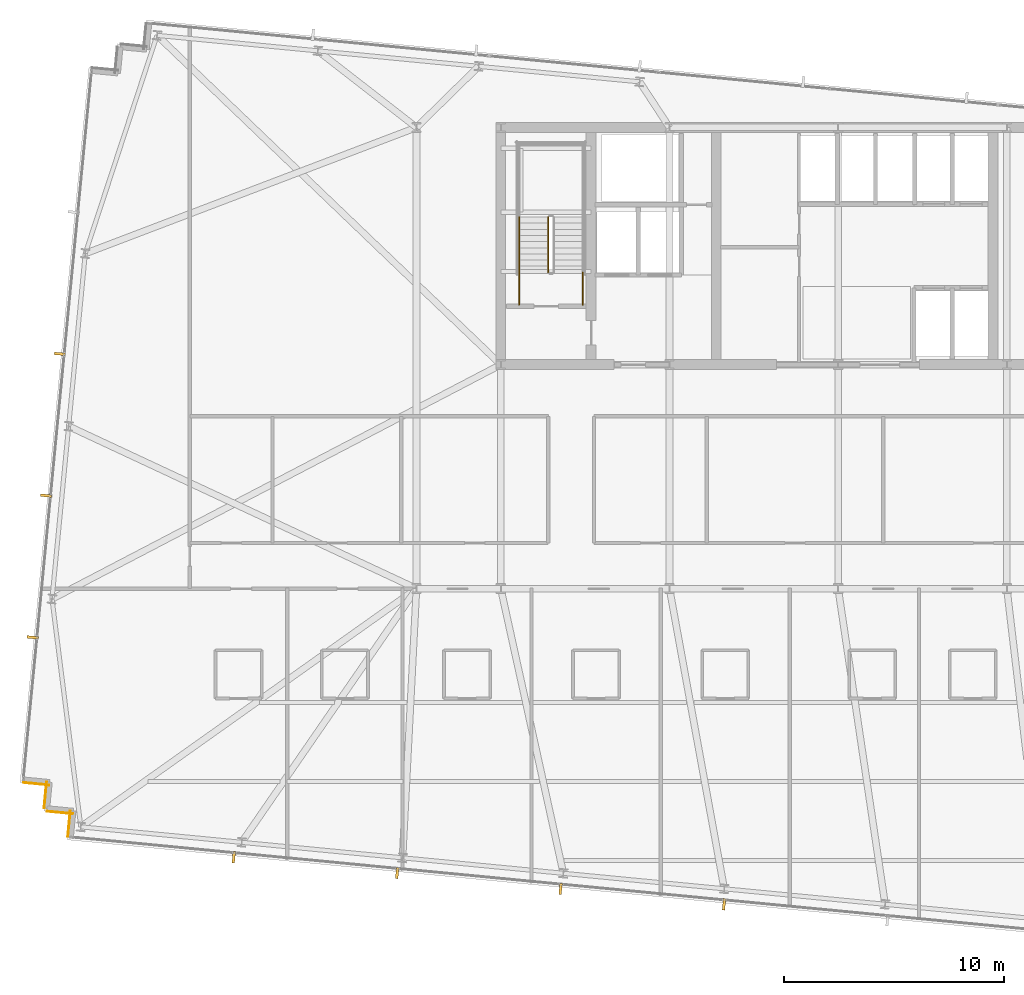
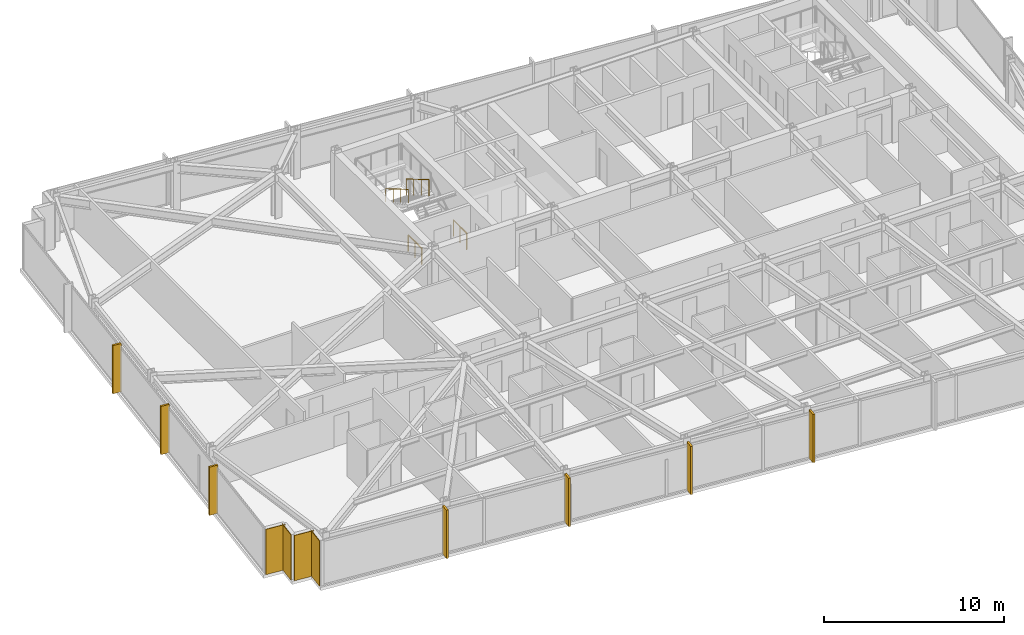
# One storey, part 33 of 38: 7 shading devices, 4 coverings, 4 railings.
"""IFC4 building model written with IfcOpenShell, lengths in metres."""

from ifc_helpers import new_model, si_unit, direction, frame, frame_2d, origin, origin_2d, place, context, subcontext, project, spatial, rectangle, circle, extrude, material, layer, layer_set, type_object, element, save


model = new_model("IFC4")

# Units and contexts
model_context = context("Model", 3, precision=1e-05, world=origin(), true_north=direction((0.0, 1.0)))
body_context = subcontext(model_context, "Body", "Model", "MODEL_VIEW")
ifc_project = project(units=[si_unit("LENGTHUNIT", "METRE"), si_unit("AREAUNIT", "SQUARE_METRE"), si_unit("VOLUMEUNIT", "CUBIC_METRE"), si_unit("PLANEANGLEUNIT", "RADIAN"), si_unit("MASSUNIT", "GRAM", prefix="KILO")], contexts=[model_context])

# Site, building, storey
site_placement = place(None, origin())
site = spatial("IfcSite", under=ifc_project, at=site_placement, CompositionType="ELEMENT")
building_placement = place(site_placement, origin())
building = spatial("IfcBuilding", under=site, at=building_placement, Name="Yelkora Congress Tower", CompositionType="ELEMENT")
storey_placement = place(building_placement, frame((0.0, 0.0, 155.60009765625)))
storey = spatial("IfcBuildingStorey", under=building, at=storey_placement, Name="L42", CompositionType="ELEMENT", Elevation=155.60009765625)

# Coverings
ifc_material_1 = material(Name="Anatolian bush-hammered limestone", Category="masonry")
ifc_layer_1 = layer(ifc_material_1, 0.0400390625)
ifc_layer_set_1 = layer_set([ifc_layer_1], Name="Anatolian bush-hammered limestone")
covering_type = type_object("IfcCoveringType", Name="COV-CLAD-SPANDREL-40", PredefinedType="CLADDING", material=ifc_layer_set_1)
covering_1_placement = place(storey_placement, frame((3.327880859375, 13.90185546875, 0.0), z_axis=(0.0, 0.0, 1.0), x_axis=(0.095817067274, 0.995398960025, 0.0)))
element("IfcCovering", 1, at=covering_1_placement, inside=storey, type_object=covering_type, Name="L42 Anatolian Limestone Cladding EW-L42-SR01", PredefinedType="CLADDING", context=body_context, shape_type="SweptSolid", body=[
    extrude(rectangle(XDim=1.2001953125, YDim=0.0400390625, at=frame_2d((0.60009765625, 0.0))), origin(), (0.0, 0.0, 1.0), 3.079833984375),
])
covering_2_placement = place(storey_placement, frame((3.564208984375, 14.94921875, 0.0), z_axis=(0.0, 0.0, 1.0), x_axis=(-0.995397091755, 0.095836473879, 0.0)))
element("IfcCovering", 2, at=covering_2_placement, inside=storey, type_object=covering_type, Name="L42 Anatolian Limestone Cladding EW-L42-SR02", PredefinedType="CLADDING", context=body_context, shape_type="SweptSolid", body=[
    extrude(rectangle(XDim=1.199951171875, YDim=0.0400390625, at=frame_2d((0.60009765625, 0.0))), origin(), (0.0, 0.0, 1.0), 3.079833984375),
])
for number, where, z_axis, x_axis, name in (
    (3, (2.248291015625, 15.21142578125, 0.0), (0.0, 0.0, 1.0), (0.095817067274, 0.995398960025, 0.0), "L42 Anatolian Limestone Cladding EW-L42-SR03"),
    (4, (2.48486328125, 16.258544921875, 0.0), (0.0, 0.0, 1.0), (-0.995398960025, 0.095817067274, 0.0), "L42 Anatolian Limestone Cladding EW-L42-SR04"),
):
    element("IfcCovering", number, at=place(storey_placement, frame(where, z_axis=z_axis, x_axis=x_axis)), inside=storey, type_object=covering_type, Name=name, PredefinedType="CLADDING", context=body_context, shape_type="SweptSolid", body=[
        extrude(rectangle(XDim=1.2001953125, YDim=0.0400390625, at=frame_2d((0.60009765625, 0.0))), origin(), (0.0, 0.0, 1.0), 3.079833984375),
    ])

# Railings
ifc_material_2 = material(Name="Painted galvanised steel stair well guard with vertical infill", Category="steel")
ifc_layer_2 = layer(ifc_material_2, 0.06005859375)
ifc_layer_set_2 = layer_set([ifc_layer_2], Name="Painted galvanised steel stair well guard with vertical infill")
railing_type_1 = type_object("IfcRailingType", Name="RAIL-STAIR-GUARD-1120", PredefinedType="GUARDRAIL", material=ifc_layer_set_2)
railing_1_placement = place(storey_placement, frame((25.18994140625, 42.1201171875, 1.81494140625)))
element("IfcRailing", 5, at=railing_1_placement, inside=storey, type_object=railing_type_1, Name="ST-01 L42 Stair Well Guardrail 6", PredefinedType="GUARDRAIL", context=body_context, shape_type="SweptSolid", body=[
    extrude(circle(Radius=0.02392578125, at=origin_2d()), frame((0.0, 0.0, 1.09619140625), z_axis=(0.0, -0.861560626758, 0.507654692109), x_axis=(1.0, 0.0, 0.0)), (0.0, 0.0, 1.0), 2.925048828125),
    extrude(circle(Radius=0.02099609375, at=origin_2d()), origin(), (0.0, 0.0, 1.0), 1.072021484375),
    extrude(circle(Radius=0.02099609375, at=origin_2d()), frame((0.0, -0.840087890625, 0.494873046875)), (0.0, 0.0, 1.0), 1.072021484375),
    extrude(circle(Radius=0.02099609375, at=origin_2d()), frame((0.0, -1.679931640625, 0.989990234375)), (0.0, 0.0, 1.0), 1.072021484375),
    extrude(circle(Radius=0.02099609375, at=origin_2d()), frame((0.0, -2.52001953125, 1.48486328125)), (0.0, 0.0, 1.0), 1.072021484375),
])
for number, where, name in (
    (6, (26.77001953125, 38.1201171875, 0.0), "ST-01 L42 Stair Well Guardrail 8"),
    (7, (23.8701171875, 38.1201171875, 0.0), "ST-01 L42 Stair Well Guardrail 9"),
):
    element("IfcRailing", number, at=place(storey_placement, frame(where)), inside=storey, type_object=railing_type_1, Name=name, PredefinedType="GUARDRAIL", context=body_context, shape_type="SweptSolid", body=[
        extrude(circle(Radius=0.02392578125, at=origin_2d()), frame((0.0, 0.0, 1.09619140625), z_axis=(0.0, 1.0, 0.0), x_axis=(-1.0, 0.0, 0.0)), (0.0, 0.0, 1.0), 1.47998046875),
        extrude(circle(Radius=0.02099609375, at=origin_2d()), origin(), (0.0, 0.0, 1.0), 1.072021484375),
        extrude(circle(Radius=0.02099609375, at=origin_2d()), frame((0.0, 0.739990234375, 0.0)), (0.0, 0.0, 1.0), 1.072021484375),
        extrude(circle(Radius=0.02099609375, at=origin_2d()), frame((0.0, 1.47998046875, 0.0)), (0.0, 0.0, 1.0), 1.072021484375),
    ])
ifc_material_3 = material(Name="Brushed stainless steel tubular handrail", Category="steel")
ifc_layer_3 = layer(ifc_material_3, 0.050048828125)
ifc_layer_set_3 = layer_set([ifc_layer_3], Name="Brushed stainless steel tubular handrail")
railing_type_2 = type_object("IfcRailingType", Name="RAIL-STAIR-HAND-920", PredefinedType="HANDRAIL", material=ifc_layer_set_3)
railing_2_placement = place(storey_placement, frame((23.8701171875, 42.1201171875, 1.81494140625)))
element("IfcRailing", 8, at=railing_2_placement, inside=storey, type_object=railing_type_2, Name="ST-01 L42 Pitch Handrail 2", PredefinedType="HANDRAIL", context=body_context, shape_type="SweptSolid", body=[
    extrude(circle(Radius=0.02392578125, at=origin_2d()), frame((0.0, 0.0, 0.89599609375), z_axis=(0.0, -0.861560626758, 0.507654692109), x_axis=(1.0, 0.0, 0.0)), (0.0, 0.0, 1.0), 2.925048828125),
    extrude(circle(Radius=0.02099609375, at=origin_2d()), origin(), (0.0, 0.0, 1.0), 0.871826171875),
    extrude(circle(Radius=0.02099609375, at=origin_2d()), frame((0.0, -0.840087890625, 0.494873046875)), (0.0, 0.0, 1.0), 0.871826171875),
    extrude(circle(Radius=0.02099609375, at=origin_2d()), frame((0.0, -1.679931640625, 0.989990234375)), (0.0, 0.0, 1.0), 0.871826171875),
    extrude(circle(Radius=0.02099609375, at=origin_2d()), frame((0.0, -2.52001953125, 1.48486328125)), (0.0, 0.0, 1.0), 0.871826171875),
])

# Shading devices
ifc_material_4 = material(Name="Champagne anodised aluminium", Category="aluminium")
ifc_layer_4 = layer(ifc_material_4, 3.300048828125)
ifc_layer_set_4 = layer_set([ifc_layer_4], Name="Champagne anodised aluminium")
shading_device_type = type_object("IfcShadingDeviceType", Name="SHD-FIN-ALU-520", PredefinedType="USERDEFINED", material=ifc_layer_set_4)
for number, where, z_axis, x_axis, name in (
    (9, (1.7255859375, 22.981201171875, -0.0302734375), (0.0, 0.0, 1.0), (0.09584575252, 0.995396198367, 0.0), "L42 Vertical Anodised Solar Fin 5-1"),
    (10, (2.34716796875, 29.435302734375, -0.0302734375), (0.0, 0.0, 1.0), (0.09584575252, 0.995396198367, 0.0), "L42 Vertical Anodised Solar Fin 5-2"),
    (11, (2.968505859375, 35.889404296875, -0.0302734375), (0.0, 0.0, 1.0), (0.09584575252, 0.995396198367, 0.0), "L42 Vertical Anodised Solar Fin 5-3"),
    (12, (33.202392578125, 10.82421875, -0.0302734375), (0.0, 0.0, 1.0), (-0.995396198367, 0.09584575252, 0.0), "L42 Vertical Anodised Solar Fin 20-3"),
    (13, (25.7626953125, 11.540771484375, -0.0302734375), (0.0, 0.0, 1.0), (-0.995396198367, 0.09584575252, 0.0), "L42 Vertical Anodised Solar Fin 20-4"),
    (14, (18.32275390625, 12.257080078125, -0.0302734375), (0.0, 0.0, 1.0), (-0.995396198367, 0.09584575252, 0.0), "L42 Vertical Anodised Solar Fin 20-5"),
    (15, (10.8828125, 12.973388671875, -0.0302734375), (0.0, 0.0, 1.0), (-0.995396198367, 0.09584575252, 0.0), "L42 Vertical Anodised Solar Fin 20-6"),
):
    element("IfcShadingDevice", number, at=place(storey_placement, frame(where, z_axis=z_axis, x_axis=x_axis)), inside=storey, type_object=shading_device_type, Name=name, ObjectType="FIN", PredefinedType="USERDEFINED", context=body_context, shape_type="SweptSolid", body=[
        extrude(rectangle(XDim=0.1201171875, YDim=0.52001953125, at=origin_2d()), origin(), (0.0, 0.0, 1.0), 3.280029296875),
    ])

save(model, "model.ifc")
